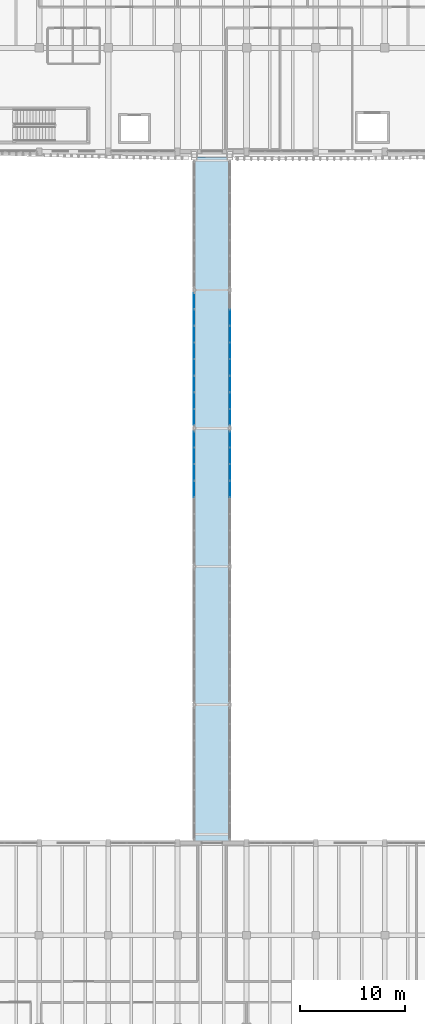
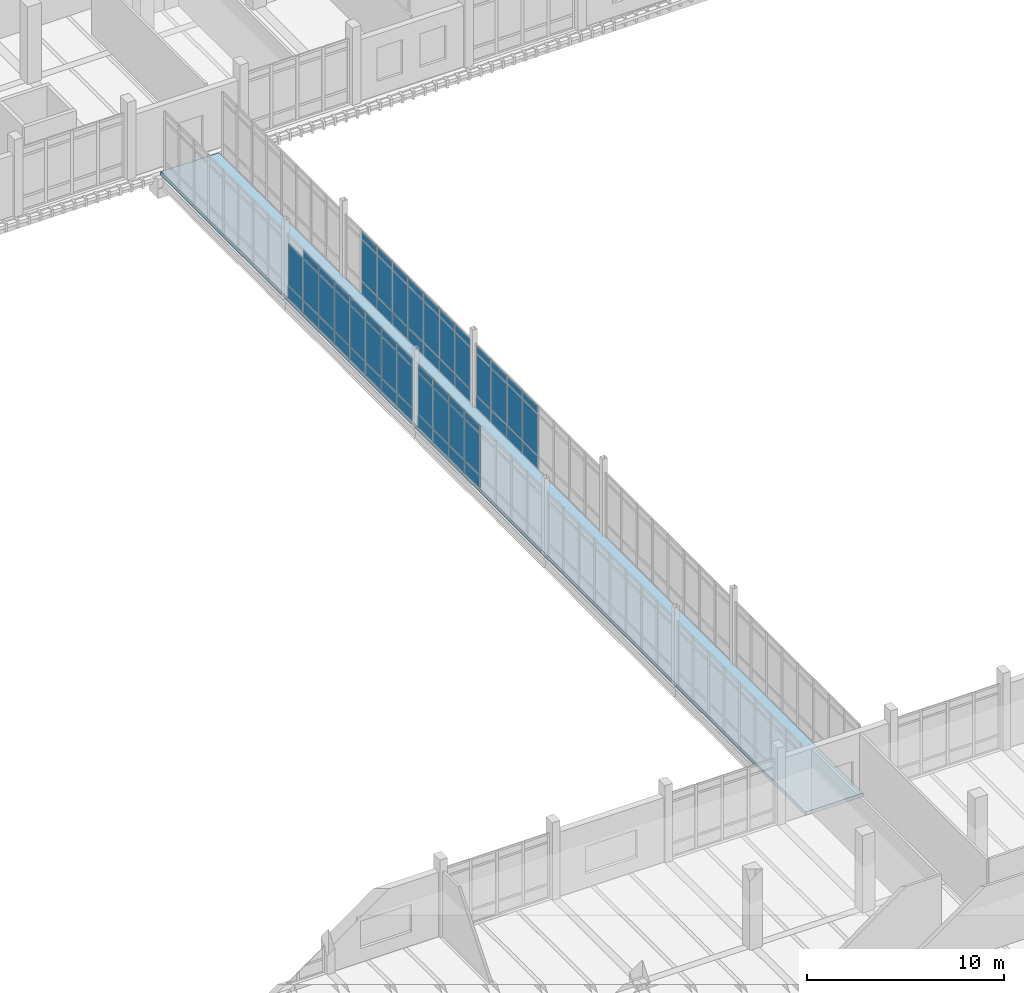
# One storey, part 76 of 125: 68 plates, 1 slab, 4 elements without a shape of their own.
"""IFC4 building model written with IfcOpenShell, lengths in metres."""

import ifcopenshell
import ifcopenshell.guid

model = None  # the IFC model being written
_history = None  # IfcOwnerHistory: only IFC2X3 demands one
_inside = {}  # id of a spatial element -> (the spatial element, [elements in it])
_under = {}  # id of a project, library or spatial element -> (it, [spatial elements below it])
_declared = {}  # id of a project -> (the project, [libraries it declares])
_typed = {}  # id of a type object -> (the type object, [elements of that type])
_made_of = {}  # id of a material, layer set ... -> (it, [elements and type objects made of it])


def new_model(schema):
    """Start an empty IFC model of exactly this schema.

    Asked for "IFC4X3", IfcOpenShell would pick the latest addendum, in which some entities
    have other attributes; the version numbers below select the first issue.
    IFC2X3 requires an IfcOwnerHistory on every rooted entity: one is made here for all.
    """
    global model, _history
    if schema == "IFC4X3":
        model = ifcopenshell.file(schema_version=(4, 3, 0, 0))
    else:
        model = ifcopenshell.file(schema=schema)
    _inside.clear()
    _under.clear()
    _declared.clear()
    _typed.clear()
    _made_of.clear()
    _history = None
    if model.schema == "IFC2X3":
        org = make("IfcOrganization", Name="unknown")
        user = make(
            "IfcPersonAndOrganization",
            ThePerson=make("IfcPerson", FamilyName="unknown"),
            TheOrganization=org,
        )
        app = make(
            "IfcApplication",
            ApplicationDeveloper=org,
            Version="unknown",
            ApplicationFullName="unknown",
            ApplicationIdentifier="unknown",
        )
        _history = make(
            "IfcOwnerHistory",
            OwningUser=user,
            OwningApplication=app,
            ChangeAction="ADDED",
            CreationDate=0,
        )
    return model


def make(cls, **values):
    """One entity of the class cls with the attributes given. An attribute that is None is left unset."""
    return model.create_entity(
        cls, **{name: value for name, value in values.items() if value is not None}
    )


def rooted(cls, **values):
    """An entity with a GlobalId (a new one), such as an element, a storey or a relation."""
    return make(cls, GlobalId=ifcopenshell.guid.new(), OwnerHistory=_history, **values)


def si_unit(unit_type, name, prefix=None):
    """IfcSIUnit, for example si_unit("LENGTHUNIT", "METRE", prefix="MILLI")."""
    return make("IfcSIUnit", UnitType=unit_type, Prefix=prefix, Name=name)


def assignment(units):
    """IfcUnitAssignment: the units of a project."""
    return None if units is None else make("IfcUnitAssignment", Units=units)


def point(xyz):
    """IfcCartesianPoint."""
    return None if xyz is None else make("IfcCartesianPoint", Coordinates=xyz)


def direction(xyz):
    """IfcDirection."""
    return None if xyz is None else make("IfcDirection", DirectionRatios=xyz)


def frame(location, z_axis=None, x_axis=None):
    """IfcAxis2Placement3D, a coordinate frame: its origin and axes. An axis left out is left unset."""
    return make(
        "IfcAxis2Placement3D",
        Location=point(location),
        Axis=direction(z_axis),
        RefDirection=direction(x_axis),
    )


def frame_2d(location, x_axis=None):
    """IfcAxis2Placement2D, a coordinate frame in the plane: its origin and x axis."""
    return make(
        "IfcAxis2Placement2D", Location=point(location), RefDirection=direction(x_axis)
    )


def origin():
    """The frame at (0, 0, 0) with its axes left unset."""
    return frame((0.0, 0.0, 0.0))


def origin_2d():
    """The frame at (0, 0) in the plane with its x axis left unset."""
    return frame_2d((0.0, 0.0))


def place(relative_to, where):
    """IfcLocalPlacement: puts the frame where relative to a parent placement (None: the world)."""
    return make(
        "IfcLocalPlacement", PlacementRelTo=relative_to, RelativePlacement=where
    )


def context(
    kind, dimensions, precision=None, world=None, true_north=None, identifier=None
):
    """IfcGeometricRepresentationContext, for example the 3D "Model" context."""
    return make(
        "IfcGeometricRepresentationContext",
        ContextIdentifier=identifier,
        ContextType=kind,
        CoordinateSpaceDimension=dimensions,
        Precision=precision,
        WorldCoordinateSystem=world,
        TrueNorth=true_north,
    )


def subcontext(parent, identifier, kind, view, scale=None):
    """IfcGeometricRepresentationSubContext, for example "Body" below "Model"."""
    return make(
        "IfcGeometricRepresentationSubContext",
        ContextIdentifier=identifier,
        ContextType=kind,
        ParentContext=parent,
        TargetScale=scale,
        TargetView=view,
    )


def project(units=None, contexts=None):
    """IfcProject with its units and contexts."""
    return rooted(
        "IfcProject",
        Name="project",
        RepresentationContexts=contexts,
        UnitsInContext=assignment(units),
    )


def spatial(cls, under=None, at=None, **own):
    """A site, building, storey or space (cls), placed at a placement, below another one or the project."""
    s = rooted(cls, ObjectPlacement=at, **own)
    if under is not None:
        _under.setdefault(under.id(), (under, []))[1].append(s)
    return s


def polyline(points):
    """IfcPolyline through the points."""
    return make("IfcPolyline", Points=[point(p) for p in points])


def profile(cls, at=None, kind="AREA", **sizes):
    """A parametric profile (cls). Its sizes go by their IFC names, for example OverallWidth=200.0."""
    return make(cls, ProfileType=kind, Position=at, **sizes)


def rectangle(**sizes):
    """IfcRectangleProfileDef."""
    return profile("IfcRectangleProfileDef", **sizes)


def outline(outer, holes=None, kind="AREA"):
    """IfcArbitraryClosedProfileDef: a profile drawn as a closed curve; with holes, ...WithVoids."""
    if holes is None:
        return make("IfcArbitraryClosedProfileDef", ProfileType=kind, OuterCurve=outer)
    return make(
        "IfcArbitraryProfileDefWithVoids",
        ProfileType=kind,
        OuterCurve=outer,
        InnerCurves=holes,
    )


def extrude(swept, where, along, depth):
    """IfcExtrudedAreaSolid: the profile swept, set in the frame where, extruded along a direction by depth."""
    return make(
        "IfcExtrudedAreaSolid",
        SweptArea=swept,
        Position=where,
        ExtrudedDirection=direction(along),
        Depth=depth,
    )


def shape(context_of_items, identifier, shape_type, items):
    """IfcShapeRepresentation: the items that make up one representation, for example the "Body"."""
    return make(
        "IfcShapeRepresentation",
        ContextOfItems=context_of_items,
        RepresentationIdentifier=identifier,
        RepresentationType=shape_type,
        Items=items,
    )


def material(Name=None, Category=None):
    """IfcMaterial."""
    return make("IfcMaterial", Name=Name, Category=Category)


def layer(
    of_material, thickness, ventilated=None, Name=None, Category=None, Priority=None
):
    """IfcMaterialLayer: one layer of a wall or slab, of a material (None: an air gap)."""
    return make(
        "IfcMaterialLayer",
        Material=of_material,
        LayerThickness=thickness,
        IsVentilated=ventilated,
        Name=Name,
        Category=Category,
        Priority=Priority,
    )


def layer_set(layers, Name=None):
    """IfcMaterialLayerSet."""
    return make("IfcMaterialLayerSet", MaterialLayers=layers, LayerSetName=Name)


def made_of(thing, what):
    """Note that an element or type object is made of a material, layer set ...; save() writes the relation."""
    if what is not None:
        _made_of.setdefault(what.id(), (what, []))[1].append(thing)
    return thing


def type_object(cls, material=None, **own):
    """A type object (cls), such as IfcWallType, which elements share."""
    return made_of(rooted(cls, **own), material)


def element(
    cls,
    number,
    at=None,
    inside=None,
    cuts=None,
    type_object=None,
    material=None,
    context=None,
    identifier="Body",
    shape_type=None,
    held_by="IfcProductDefinitionShape",
    body=None,
    shapes=None,
    **own,
):
    """One element of the class cls, such as IfcWall. Its Tag is "e" and its number.

    at: its placement. inside: the storey or other place that contains it. cuts: it is an
    opening in that element (IfcRelVoidsElement). A single representation is given by context,
    identifier, shape_type and body (its items); several are given by shapes. held_by: the class
    of the entity that holds the representations. save() writes the other relations.
    """
    e = rooted(cls, Tag="e%d" % number, ObjectPlacement=at, **own)
    if body is not None:
        shapes = [shape(context, identifier, shape_type, body)]
    if shapes is not None:
        e.Representation = make(held_by, Representations=shapes)
    if inside is not None:
        _inside.setdefault(inside.id(), (inside, []))[1].append(e)
    if cuts is not None:
        rooted(
            "IfcRelVoidsElement", RelatingBuildingElement=cuts, RelatedOpeningElement=e
        )
    if type_object is not None:
        _typed.setdefault(type_object.id(), (type_object, []))[1].append(e)
    return made_of(e, material)


def aggregate(whole, parts):
    """IfcRelAggregates: a whole, such as a stair, and the parts it consists of."""
    return rooted("IfcRelAggregates", RelatingObject=whole, RelatedObjects=parts)


def save(model, path):
    """Write the relations noted so far, then the file.

    IfcRelAggregates (storeys below a building ...), IfcRelContainedInSpatialStructure (elements
    in a storey), IfcRelDefinesByType, IfcRelAssociatesMaterial and IfcRelDeclares: one each for
    every whole, place, type object, material and project.
    """
    for whole, parts in _under.values():
        aggregate(whole, parts)
    for where, things in _inside.values():
        rooted(
            "IfcRelContainedInSpatialStructure",
            RelatedElements=things,
            RelatingStructure=where,
        )
    for kind, things in _typed.values():
        rooted("IfcRelDefinesByType", RelatedObjects=things, RelatingType=kind)
    for what, things in _made_of.values():
        rooted("IfcRelAssociatesMaterial", RelatedObjects=things, RelatingMaterial=what)
    for by, libraries in _declared.values():
        rooted("IfcRelDeclares", RelatingContext=by, RelatedDefinitions=libraries)
    model.write(path)


model = new_model("IFC4")

# Units and contexts
model_context = context("Model", 3, precision=1e-05, world=origin(), true_north=direction((0.0, 1.0)))
body_context = subcontext(model_context, "Body", "Model", "MODEL_VIEW")
ifc_project = project(units=[si_unit("LENGTHUNIT", "METRE"), si_unit("AREAUNIT", "SQUARE_METRE"), si_unit("VOLUMEUNIT", "CUBIC_METRE"), si_unit("PLANEANGLEUNIT", "RADIAN"), si_unit("MASSUNIT", "GRAM", prefix="KILO")], contexts=[model_context])

# Site, building, storey
site_placement = place(None, origin())
site = spatial("IfcSite", under=ifc_project, at=site_placement, CompositionType="ELEMENT")
building_placement = place(site_placement, origin())
building = spatial("IfcBuilding", under=site, at=building_placement, Name="Dornvale Research Institute", CompositionType="ELEMENT")
storey_placement = place(building_placement, frame((0.0, 0.0, 5.39990234375)))
storey = spatial("IfcBuildingStorey", under=building, at=storey_placement, Name="L01", CompositionType="ELEMENT", Elevation=5.39990234375)

# Curtain wall, plates
ifc_material_1 = material(Name="Low-E Argon Double Insulating Glazing Unit", Category="glass")
curtain_wall_type = type_object("IfcCurtainWallType", Name="UnitisedCurtainWall_V2_12700x4000", PredefinedType="USERDEFINED", material=ifc_material_1)
curtain_wall_1_placement = place(storey_placement, origin())
curtain_wall_1 = element("IfcCurtainWall", 1, at=curtain_wall_1_placement, inside=storey, type_object=curtain_wall_type, Name="L01 V2 unitised curtain wall CW-42 #235", ObjectType="UNITISED CURTAIN WALL", PredefinedType="USERDEFINED")
ifc_material_2 = material(Name="Insulated Ceramic-Frit Spandrel Glass Panel", Category="glass")
ifc_layer_1 = layer(ifc_material_2, 0.0419921875)
ifc_layer_set_1 = layer_set([ifc_layer_1], Name="Insulated Ceramic-Frit Spandrel Glass Panel")
plate_type_1 = type_object("IfcPlateType", Name="CurtainPanel_Spandrel_42", PredefinedType="CURTAIN_PANEL", material=ifc_layer_set_1)
plate_1_placement = place(storey_placement, frame((140.199951171875, 60.19384765625, 0.065185546875), z_axis=(0.0, 0.0, 1.0), x_axis=(0.0, 1.0, 0.0)))
plate_1 = element("IfcPlate", 2, at=plate_1_placement, type_object=plate_type_1, Name="CW-42 panel 5.1", PredefinedType="CURTAIN_PANEL", context=body_context, shape_type="SweptSolid", body=[
    extrude(rectangle(XDim=1.5224609375, YDim=0.0419921875, at=origin_2d()), origin(), (0.0, 0.0, 1.0), 0.75244140625),
])
plate_2_placement = place(storey_placement, frame((140.199951171875, 61.78125, 0.065185546875), z_axis=(0.0, 0.0, 1.0), x_axis=(0.0, 1.0, 0.0)))
plate_2 = element("IfcPlate", 3, at=plate_2_placement, type_object=plate_type_1, Name="CW-42 panel 6.1", PredefinedType="CURTAIN_PANEL", context=body_context, shape_type="SweptSolid", body=[
    extrude(rectangle(XDim=1.5224609375, YDim=0.0419921875, at=origin_2d()), origin(), (0.0, 0.0, 1.0), 0.75244140625),
])
plate_3_placement = place(storey_placement, frame((140.199951171875, 63.36865234375, 0.065185546875), z_axis=(0.0, 0.0, 1.0), x_axis=(0.0, 1.0, 0.0)))
plate_3 = element("IfcPlate", 4, at=plate_3_placement, type_object=plate_type_1, Name="CW-42 panel 7.1", PredefinedType="CURTAIN_PANEL", context=body_context, shape_type="SweptSolid", body=[
    extrude(rectangle(XDim=1.5224609375, YDim=0.0419921875, at=origin_2d()), origin(), (0.0, 0.0, 1.0), 0.75244140625),
])
plate_4_placement = place(storey_placement, frame((140.199951171875, 64.93994140625, 0.065185546875), z_axis=(0.0, 0.0, 1.0), x_axis=(0.0, 1.0, 0.0)))
plate_4 = element("IfcPlate", 5, at=plate_4_placement, type_object=plate_type_1, Name="CW-42 panel 8.1", PredefinedType="CURTAIN_PANEL", context=body_context, shape_type="SweptSolid", body=[
    extrude(rectangle(XDim=1.489990234375, YDim=0.0419921875, at=origin_2d()), origin(), (0.0, 0.0, 1.0), 0.75244140625),
])

curtain_wall_2_placement = place(storey_placement, origin())
curtain_wall_2 = element("IfcCurtainWall", 6, at=curtain_wall_2_placement, inside=storey, type_object=curtain_wall_type, Name="L01 V2 unitised curtain wall CW-42 #236", ObjectType="UNITISED CURTAIN WALL", PredefinedType="USERDEFINED")
plate_5_placement = place(storey_placement, frame((143.60009765625, 64.93994140625, 0.065185546875), z_axis=(0.0, 0.0, 1.0), x_axis=(0.0, -1.0, 0.0)))
plate_5 = element("IfcPlate", 7, at=plate_5_placement, type_object=plate_type_1, Name="CW-42 panel 1.1", PredefinedType="CURTAIN_PANEL", context=body_context, shape_type="SweptSolid", body=[
    extrude(rectangle(XDim=1.489990234375, YDim=0.0419921875, at=origin_2d()), origin(), (0.0, 0.0, 1.0), 0.75244140625),
])
plate_6_placement = place(storey_placement, frame((143.60009765625, 63.36865234375, 0.065185546875), z_axis=(0.0, 0.0, 1.0), x_axis=(0.0, -1.0, 0.0)))
plate_6 = element("IfcPlate", 8, at=plate_6_placement, type_object=plate_type_1, Name="CW-42 panel 2.1", PredefinedType="CURTAIN_PANEL", context=body_context, shape_type="SweptSolid", body=[
    extrude(rectangle(XDim=1.5224609375, YDim=0.0419921875, at=origin_2d()), origin(), (0.0, 0.0, 1.0), 0.75244140625),
])
plate_7_placement = place(storey_placement, frame((143.60009765625, 61.78125, 0.065185546875), z_axis=(0.0, 0.0, 1.0), x_axis=(0.0, -1.0, 0.0)))
plate_7 = element("IfcPlate", 9, at=plate_7_placement, type_object=plate_type_1, Name="CW-42 panel 3.1", PredefinedType="CURTAIN_PANEL", context=body_context, shape_type="SweptSolid", body=[
    extrude(rectangle(XDim=1.5224609375, YDim=0.0419921875, at=origin_2d()), origin(), (0.0, 0.0, 1.0), 0.75244140625),
])
plate_8_placement = place(storey_placement, frame((143.60009765625, 60.19384765625, 0.065185546875), z_axis=(0.0, 0.0, 1.0), x_axis=(0.0, -1.0, 0.0)))
plate_8 = element("IfcPlate", 10, at=plate_8_placement, type_object=plate_type_1, Name="CW-42 panel 4.1", PredefinedType="CURTAIN_PANEL", context=body_context, shape_type="SweptSolid", body=[
    extrude(rectangle(XDim=1.5224609375, YDim=0.0419921875, at=origin_2d()), origin(), (0.0, 0.0, 1.0), 0.75244140625),
])

curtain_wall_3_placement = place(storey_placement, origin())
curtain_wall_3 = element("IfcCurtainWall", 11, at=curtain_wall_3_placement, inside=storey, type_object=curtain_wall_type, Name="L01 V2 unitised curtain wall CW-42 #237", ObjectType="UNITISED CURTAIN WALL", PredefinedType="USERDEFINED")
plate_9_placement = place(storey_placement, frame((140.199951171875, 67.06005859375, 0.065185546875), z_axis=(0.0, 0.0, 1.0), x_axis=(0.0, 1.0, 0.0)))
plate_9 = element("IfcPlate", 12, at=plate_9_placement, type_object=plate_type_1, Name="CW-42 panel 1.1", PredefinedType="CURTAIN_PANEL", context=body_context, shape_type="SweptSolid", body=[
    extrude(rectangle(XDim=1.489990234375, YDim=0.0419921875, at=origin_2d()), origin(), (0.0, 0.0, 1.0), 0.75244140625),
])
plate_10_placement = place(storey_placement, frame((140.199951171875, 68.63134765625, 0.065185546875), z_axis=(0.0, 0.0, 1.0), x_axis=(0.0, 1.0, 0.0)))
plate_10 = element("IfcPlate", 13, at=plate_10_placement, type_object=plate_type_1, Name="CW-42 panel 2.1", PredefinedType="CURTAIN_PANEL", context=body_context, shape_type="SweptSolid", body=[
    extrude(rectangle(XDim=1.5224609375, YDim=0.0419921875, at=origin_2d()), origin(), (0.0, 0.0, 1.0), 0.75244140625),
])
plate_11_placement = place(storey_placement, frame((140.199951171875, 70.21875, 0.065185546875), z_axis=(0.0, 0.0, 1.0), x_axis=(0.0, 1.0, 0.0)))
plate_11 = element("IfcPlate", 14, at=plate_11_placement, type_object=plate_type_1, Name="CW-42 panel 3.1", PredefinedType="CURTAIN_PANEL", context=body_context, shape_type="SweptSolid", body=[
    extrude(rectangle(XDim=1.5224609375, YDim=0.0419921875, at=origin_2d()), origin(), (0.0, 0.0, 1.0), 0.75244140625),
])
plate_12_placement = place(storey_placement, frame((140.199951171875, 71.80615234375, 0.065185546875), z_axis=(0.0, 0.0, 1.0), x_axis=(0.0, 1.0, 0.0)))
plate_12 = element("IfcPlate", 15, at=plate_12_placement, type_object=plate_type_1, Name="CW-42 panel 4.1", PredefinedType="CURTAIN_PANEL", context=body_context, shape_type="SweptSolid", body=[
    extrude(rectangle(XDim=1.5224609375, YDim=0.0419921875, at=origin_2d()), origin(), (0.0, 0.0, 1.0), 0.75244140625),
])
plate_13_placement = place(storey_placement, frame((140.199951171875, 73.393798828125, 0.065185546875), z_axis=(0.0, 0.0, 1.0), x_axis=(0.0, 1.0, 0.0)))
plate_13 = element("IfcPlate", 16, at=plate_13_placement, type_object=plate_type_1, Name="CW-42 panel 5.1", PredefinedType="CURTAIN_PANEL", context=body_context, shape_type="SweptSolid", body=[
    extrude(rectangle(XDim=1.5224609375, YDim=0.0419921875, at=origin_2d()), origin(), (0.0, 0.0, 1.0), 0.75244140625),
])
plate_14_placement = place(storey_placement, frame((140.199951171875, 74.981201171875, 0.065185546875), z_axis=(0.0, 0.0, 1.0), x_axis=(0.0, 1.0, 0.0)))
plate_14 = element("IfcPlate", 17, at=plate_14_placement, type_object=plate_type_1, Name="CW-42 panel 6.1", PredefinedType="CURTAIN_PANEL", context=body_context, shape_type="SweptSolid", body=[
    extrude(rectangle(XDim=1.5224609375, YDim=0.0419921875, at=origin_2d()), origin(), (0.0, 0.0, 1.0), 0.75244140625),
])
plate_15_placement = place(storey_placement, frame((140.199951171875, 76.56884765625, 0.065185546875), z_axis=(0.0, 0.0, 1.0), x_axis=(0.0, 1.0, 0.0)))
plate_15 = element("IfcPlate", 18, at=plate_15_placement, type_object=plate_type_1, Name="CW-42 panel 7.1", PredefinedType="CURTAIN_PANEL", context=body_context, shape_type="SweptSolid", body=[
    extrude(rectangle(XDim=1.5224609375, YDim=0.0419921875, at=origin_2d()), origin(), (0.0, 0.0, 1.0), 0.75244140625),
])
plate_16_placement = place(storey_placement, frame((140.199951171875, 78.139892578125, 0.065185546875), z_axis=(0.0, 0.0, 1.0), x_axis=(0.0, 1.0, 0.0)))
plate_16 = element("IfcPlate", 19, at=plate_16_placement, type_object=plate_type_1, Name="CW-42 panel 8.1", PredefinedType="CURTAIN_PANEL", context=body_context, shape_type="SweptSolid", body=[
    extrude(rectangle(XDim=1.489990234375, YDim=0.0419921875, at=origin_2d()), origin(), (0.0, 0.0, 1.0), 0.75244140625),
])

curtain_wall_4_placement = place(storey_placement, origin())
curtain_wall_4 = element("IfcCurtainWall", 20, at=curtain_wall_4_placement, inside=storey, type_object=curtain_wall_type, Name="L01 V2 unitised curtain wall CW-42 #238", ObjectType="UNITISED CURTAIN WALL", PredefinedType="USERDEFINED")
plate_17_placement = place(storey_placement, frame((143.60009765625, 76.56884765625, 0.065185546875), z_axis=(0.0, 0.0, 1.0), x_axis=(0.0, -1.0, 0.0)))
plate_17 = element("IfcPlate", 21, at=plate_17_placement, type_object=plate_type_1, Name="CW-42 panel 2.1", PredefinedType="CURTAIN_PANEL", context=body_context, shape_type="SweptSolid", body=[
    extrude(rectangle(XDim=1.5224609375, YDim=0.0419921875, at=origin_2d()), origin(), (0.0, 0.0, 1.0), 0.75244140625),
])
plate_18_placement = place(storey_placement, frame((143.60009765625, 74.981201171875, 0.065185546875), z_axis=(0.0, 0.0, 1.0), x_axis=(0.0, -1.0, 0.0)))
plate_18 = element("IfcPlate", 22, at=plate_18_placement, type_object=plate_type_1, Name="CW-42 panel 3.1", PredefinedType="CURTAIN_PANEL", context=body_context, shape_type="SweptSolid", body=[
    extrude(rectangle(XDim=1.5224609375, YDim=0.0419921875, at=origin_2d()), origin(), (0.0, 0.0, 1.0), 0.75244140625),
])
plate_19_placement = place(storey_placement, frame((143.60009765625, 73.393798828125, 0.065185546875), z_axis=(0.0, 0.0, 1.0), x_axis=(0.0, -1.0, 0.0)))
plate_19 = element("IfcPlate", 23, at=plate_19_placement, type_object=plate_type_1, Name="CW-42 panel 4.1", PredefinedType="CURTAIN_PANEL", context=body_context, shape_type="SweptSolid", body=[
    extrude(rectangle(XDim=1.5224609375, YDim=0.0419921875, at=origin_2d()), origin(), (0.0, 0.0, 1.0), 0.75244140625),
])
plate_20_placement = place(storey_placement, frame((143.60009765625, 71.80615234375, 0.065185546875), z_axis=(0.0, 0.0, 1.0), x_axis=(0.0, -1.0, 0.0)))
plate_20 = element("IfcPlate", 24, at=plate_20_placement, type_object=plate_type_1, Name="CW-42 panel 5.1", PredefinedType="CURTAIN_PANEL", context=body_context, shape_type="SweptSolid", body=[
    extrude(rectangle(XDim=1.5224609375, YDim=0.0419921875, at=origin_2d()), origin(), (0.0, 0.0, 1.0), 0.75244140625),
])
plate_21_placement = place(storey_placement, frame((143.60009765625, 70.21875, 0.065185546875), z_axis=(0.0, 0.0, 1.0), x_axis=(0.0, -1.0, 0.0)))
plate_21 = element("IfcPlate", 25, at=plate_21_placement, type_object=plate_type_1, Name="CW-42 panel 6.1", PredefinedType="CURTAIN_PANEL", context=body_context, shape_type="SweptSolid", body=[
    extrude(rectangle(XDim=1.5224609375, YDim=0.0419921875, at=origin_2d()), origin(), (0.0, 0.0, 1.0), 0.75244140625),
])
plate_22_placement = place(storey_placement, frame((143.60009765625, 68.63134765625, 0.065185546875), z_axis=(0.0, 0.0, 1.0), x_axis=(0.0, -1.0, 0.0)))
plate_22 = element("IfcPlate", 26, at=plate_22_placement, type_object=plate_type_1, Name="CW-42 panel 7.1", PredefinedType="CURTAIN_PANEL", context=body_context, shape_type="SweptSolid", body=[
    extrude(rectangle(XDim=1.5224609375, YDim=0.0419921875, at=origin_2d()), origin(), (0.0, 0.0, 1.0), 0.75244140625),
])
plate_23_placement = place(storey_placement, frame((143.60009765625, 67.06005859375, 0.065185546875), z_axis=(0.0, 0.0, 1.0), x_axis=(0.0, -1.0, 0.0)))
plate_23 = element("IfcPlate", 27, at=plate_23_placement, type_object=plate_type_1, Name="CW-42 panel 8.1", PredefinedType="CURTAIN_PANEL", context=body_context, shape_type="SweptSolid", body=[
    extrude(rectangle(XDim=1.489990234375, YDim=0.0419921875, at=origin_2d()), origin(), (0.0, 0.0, 1.0), 0.75244140625),
])

# Plate
ifc_material_3 = material(Name="Low-E Argon Double Insulating Glazing Unit", Category="glass")
ifc_layer_2 = layer(ifc_material_3, 0.028076171875)
ifc_layer_set_2 = layer_set([ifc_layer_2], Name="Low-E Argon Double Insulating Glazing Unit")
plate_type_2 = type_object("IfcPlateType", Name="CurtainPanel_Vision_28", PredefinedType="CURTAIN_PANEL", material=ifc_layer_set_2)
plate_24_placement = place(storey_placement, frame((140.199951171875, 60.19384765625, 0.8828125), z_axis=(0.0, 0.0, 1.0), x_axis=(0.0, 1.0, 0.0)))
plate_24 = element("IfcPlate", 28, at=plate_24_placement, type_object=plate_type_2, Name="CW-42 panel 5.2", PredefinedType="CURTAIN_PANEL", context=body_context, shape_type="SweptSolid", body=[
    extrude(rectangle(XDim=1.5224609375, YDim=0.028076171875, at=origin_2d()), origin(), (0.0, 0.0, 1.0), 2.534912109375),
])

plate_25_placement = place(storey_placement, frame((140.199951171875, 60.19384765625, 3.482421875), z_axis=(0.0, 0.0, 1.0), x_axis=(0.0, 1.0, 0.0)))
plate_25 = element("IfcPlate", 29, at=plate_25_placement, type_object=plate_type_2, Name="CW-42 panel 5.3", PredefinedType="CURTAIN_PANEL", context=body_context, shape_type="SweptSolid", body=[
    extrude(rectangle(XDim=1.5224609375, YDim=0.028076171875, at=origin_2d()), origin(), (0.0, 0.0, 1.0), 0.452392578125),
])

plate_26_placement = place(storey_placement, frame((140.199951171875, 61.78125, 0.8828125), z_axis=(0.0, 0.0, 1.0), x_axis=(0.0, 1.0, 0.0)))
plate_26 = element("IfcPlate", 30, at=plate_26_placement, type_object=plate_type_2, Name="CW-42 panel 6.2", PredefinedType="CURTAIN_PANEL", context=body_context, shape_type="SweptSolid", body=[
    extrude(rectangle(XDim=1.5224609375, YDim=0.028076171875, at=origin_2d()), origin(), (0.0, 0.0, 1.0), 2.534912109375),
])

plate_27_placement = place(storey_placement, frame((140.199951171875, 61.78125, 3.482421875), z_axis=(0.0, 0.0, 1.0), x_axis=(0.0, 1.0, 0.0)))
plate_27 = element("IfcPlate", 31, at=plate_27_placement, type_object=plate_type_2, Name="CW-42 panel 6.3", PredefinedType="CURTAIN_PANEL", context=body_context, shape_type="SweptSolid", body=[
    extrude(rectangle(XDim=1.5224609375, YDim=0.028076171875, at=origin_2d()), origin(), (0.0, 0.0, 1.0), 0.452392578125),
])

plate_28_placement = place(storey_placement, frame((140.199951171875, 63.36865234375, 0.8828125), z_axis=(0.0, 0.0, 1.0), x_axis=(0.0, 1.0, 0.0)))
plate_28 = element("IfcPlate", 32, at=plate_28_placement, type_object=plate_type_2, Name="CW-42 panel 7.2", PredefinedType="CURTAIN_PANEL", context=body_context, shape_type="SweptSolid", body=[
    extrude(rectangle(XDim=1.5224609375, YDim=0.028076171875, at=origin_2d()), origin(), (0.0, 0.0, 1.0), 2.534912109375),
])

plate_29_placement = place(storey_placement, frame((140.199951171875, 63.36865234375, 3.482421875), z_axis=(0.0, 0.0, 1.0), x_axis=(0.0, 1.0, 0.0)))
plate_29 = element("IfcPlate", 33, at=plate_29_placement, type_object=plate_type_2, Name="CW-42 panel 7.3", PredefinedType="CURTAIN_PANEL", context=body_context, shape_type="SweptSolid", body=[
    extrude(rectangle(XDim=1.5224609375, YDim=0.028076171875, at=origin_2d()), origin(), (0.0, 0.0, 1.0), 0.452392578125),
])

plate_30_placement = place(storey_placement, frame((140.199951171875, 64.93994140625, 0.8828125), z_axis=(0.0, 0.0, 1.0), x_axis=(0.0, 1.0, 0.0)))
plate_30 = element("IfcPlate", 34, at=plate_30_placement, type_object=plate_type_2, Name="CW-42 panel 8.2", PredefinedType="CURTAIN_PANEL", context=body_context, shape_type="SweptSolid", body=[
    extrude(rectangle(XDim=1.489990234375, YDim=0.028076171875, at=origin_2d()), origin(), (0.0, 0.0, 1.0), 2.534912109375),
])

plate_31_placement = place(storey_placement, frame((140.199951171875, 64.93994140625, 3.482421875), z_axis=(0.0, 0.0, 1.0), x_axis=(0.0, 1.0, 0.0)))
plate_31 = element("IfcPlate", 35, at=plate_31_placement, type_object=plate_type_2, Name="CW-42 panel 8.3", PredefinedType="CURTAIN_PANEL", context=body_context, shape_type="SweptSolid", body=[
    extrude(rectangle(XDim=1.489990234375, YDim=0.028076171875, at=origin_2d()), origin(), (0.0, 0.0, 1.0), 0.452392578125),
])

aggregate(curtain_wall_1, [plate_1, plate_24, plate_25, plate_2, plate_26, plate_27, plate_3, plate_28, plate_29, plate_4, plate_30, plate_31])

plate_32_placement = place(storey_placement, frame((143.60009765625, 64.93994140625, 0.8828125), z_axis=(0.0, 0.0, 1.0), x_axis=(0.0, -1.0, 0.0)))
plate_32 = element("IfcPlate", 36, at=plate_32_placement, type_object=plate_type_2, Name="CW-42 panel 1.2", PredefinedType="CURTAIN_PANEL", context=body_context, shape_type="SweptSolid", body=[
    extrude(rectangle(XDim=1.489990234375, YDim=0.028076171875, at=origin_2d()), origin(), (0.0, 0.0, 1.0), 2.534912109375),
])

plate_33_placement = place(storey_placement, frame((143.60009765625, 64.93994140625, 3.482421875), z_axis=(0.0, 0.0, 1.0), x_axis=(0.0, -1.0, 0.0)))
plate_33 = element("IfcPlate", 37, at=plate_33_placement, type_object=plate_type_2, Name="CW-42 panel 1.3", PredefinedType="CURTAIN_PANEL", context=body_context, shape_type="SweptSolid", body=[
    extrude(rectangle(XDim=1.489990234375, YDim=0.028076171875, at=origin_2d()), origin(), (0.0, 0.0, 1.0), 0.452392578125),
])

plate_34_placement = place(storey_placement, frame((143.60009765625, 63.36865234375, 0.8828125), z_axis=(0.0, 0.0, 1.0), x_axis=(0.0, -1.0, 0.0)))
plate_34 = element("IfcPlate", 38, at=plate_34_placement, type_object=plate_type_2, Name="CW-42 panel 2.2", PredefinedType="CURTAIN_PANEL", context=body_context, shape_type="SweptSolid", body=[
    extrude(rectangle(XDim=1.5224609375, YDim=0.028076171875, at=origin_2d()), origin(), (0.0, 0.0, 1.0), 2.534912109375),
])

plate_35_placement = place(storey_placement, frame((143.60009765625, 63.36865234375, 3.482421875), z_axis=(0.0, 0.0, 1.0), x_axis=(0.0, -1.0, 0.0)))
plate_35 = element("IfcPlate", 39, at=plate_35_placement, type_object=plate_type_2, Name="CW-42 panel 2.3", PredefinedType="CURTAIN_PANEL", context=body_context, shape_type="SweptSolid", body=[
    extrude(rectangle(XDim=1.5224609375, YDim=0.028076171875, at=origin_2d()), origin(), (0.0, 0.0, 1.0), 0.452392578125),
])

plate_36_placement = place(storey_placement, frame((143.60009765625, 61.78125, 0.8828125), z_axis=(0.0, 0.0, 1.0), x_axis=(0.0, -1.0, 0.0)))
plate_36 = element("IfcPlate", 40, at=plate_36_placement, type_object=plate_type_2, Name="CW-42 panel 3.2", PredefinedType="CURTAIN_PANEL", context=body_context, shape_type="SweptSolid", body=[
    extrude(rectangle(XDim=1.5224609375, YDim=0.028076171875, at=origin_2d()), origin(), (0.0, 0.0, 1.0), 2.534912109375),
])

plate_37_placement = place(storey_placement, frame((143.60009765625, 61.78125, 3.482421875), z_axis=(0.0, 0.0, 1.0), x_axis=(0.0, -1.0, 0.0)))
plate_37 = element("IfcPlate", 41, at=plate_37_placement, type_object=plate_type_2, Name="CW-42 panel 3.3", PredefinedType="CURTAIN_PANEL", context=body_context, shape_type="SweptSolid", body=[
    extrude(rectangle(XDim=1.5224609375, YDim=0.028076171875, at=origin_2d()), origin(), (0.0, 0.0, 1.0), 0.452392578125),
])

plate_38_placement = place(storey_placement, frame((143.60009765625, 60.19384765625, 0.8828125), z_axis=(0.0, 0.0, 1.0), x_axis=(0.0, -1.0, 0.0)))
plate_38 = element("IfcPlate", 42, at=plate_38_placement, type_object=plate_type_2, Name="CW-42 panel 4.2", PredefinedType="CURTAIN_PANEL", context=body_context, shape_type="SweptSolid", body=[
    extrude(rectangle(XDim=1.5224609375, YDim=0.028076171875, at=origin_2d()), origin(), (0.0, 0.0, 1.0), 2.534912109375),
])

plate_39_placement = place(storey_placement, frame((143.60009765625, 60.19384765625, 3.482421875), z_axis=(0.0, 0.0, 1.0), x_axis=(0.0, -1.0, 0.0)))
plate_39 = element("IfcPlate", 43, at=plate_39_placement, type_object=plate_type_2, Name="CW-42 panel 4.3", PredefinedType="CURTAIN_PANEL", context=body_context, shape_type="SweptSolid", body=[
    extrude(rectangle(XDim=1.5224609375, YDim=0.028076171875, at=origin_2d()), origin(), (0.0, 0.0, 1.0), 0.452392578125),
])

aggregate(curtain_wall_2, [plate_5, plate_32, plate_33, plate_6, plate_34, plate_35, plate_7, plate_36, plate_37, plate_8, plate_38, plate_39])

plate_40_placement = place(storey_placement, frame((140.199951171875, 67.06005859375, 0.8828125), z_axis=(0.0, 0.0, 1.0), x_axis=(0.0, 1.0, 0.0)))
plate_40 = element("IfcPlate", 44, at=plate_40_placement, type_object=plate_type_2, Name="CW-42 panel 1.2", PredefinedType="CURTAIN_PANEL", context=body_context, shape_type="SweptSolid", body=[
    extrude(rectangle(XDim=1.489990234375, YDim=0.028076171875, at=origin_2d()), origin(), (0.0, 0.0, 1.0), 2.534912109375),
])

plate_41_placement = place(storey_placement, frame((140.199951171875, 67.06005859375, 3.482421875), z_axis=(0.0, 0.0, 1.0), x_axis=(0.0, 1.0, 0.0)))
plate_41 = element("IfcPlate", 45, at=plate_41_placement, type_object=plate_type_2, Name="CW-42 panel 1.3", PredefinedType="CURTAIN_PANEL", context=body_context, shape_type="SweptSolid", body=[
    extrude(rectangle(XDim=1.489990234375, YDim=0.028076171875, at=origin_2d()), origin(), (0.0, 0.0, 1.0), 0.452392578125),
])

plate_42_placement = place(storey_placement, frame((140.199951171875, 68.63134765625, 0.8828125), z_axis=(0.0, 0.0, 1.0), x_axis=(0.0, 1.0, 0.0)))
plate_42 = element("IfcPlate", 46, at=plate_42_placement, type_object=plate_type_2, Name="CW-42 panel 2.2", PredefinedType="CURTAIN_PANEL", context=body_context, shape_type="SweptSolid", body=[
    extrude(rectangle(XDim=1.5224609375, YDim=0.028076171875, at=origin_2d()), origin(), (0.0, 0.0, 1.0), 2.534912109375),
])

plate_43_placement = place(storey_placement, frame((140.199951171875, 68.63134765625, 3.482421875), z_axis=(0.0, 0.0, 1.0), x_axis=(0.0, 1.0, 0.0)))
plate_43 = element("IfcPlate", 47, at=plate_43_placement, type_object=plate_type_2, Name="CW-42 panel 2.3", PredefinedType="CURTAIN_PANEL", context=body_context, shape_type="SweptSolid", body=[
    extrude(rectangle(XDim=1.5224609375, YDim=0.028076171875, at=origin_2d()), origin(), (0.0, 0.0, 1.0), 0.452392578125),
])

plate_44_placement = place(storey_placement, frame((140.199951171875, 70.21875, 0.8828125), z_axis=(0.0, 0.0, 1.0), x_axis=(0.0, 1.0, 0.0)))
plate_44 = element("IfcPlate", 48, at=plate_44_placement, type_object=plate_type_2, Name="CW-42 panel 3.2", PredefinedType="CURTAIN_PANEL", context=body_context, shape_type="SweptSolid", body=[
    extrude(rectangle(XDim=1.5224609375, YDim=0.028076171875, at=origin_2d()), origin(), (0.0, 0.0, 1.0), 2.534912109375),
])

plate_45_placement = place(storey_placement, frame((140.199951171875, 70.21875, 3.482421875), z_axis=(0.0, 0.0, 1.0), x_axis=(0.0, 1.0, 0.0)))
plate_45 = element("IfcPlate", 49, at=plate_45_placement, type_object=plate_type_2, Name="CW-42 panel 3.3", PredefinedType="CURTAIN_PANEL", context=body_context, shape_type="SweptSolid", body=[
    extrude(rectangle(XDim=1.5224609375, YDim=0.028076171875, at=origin_2d()), origin(), (0.0, 0.0, 1.0), 0.452392578125),
])

plate_46_placement = place(storey_placement, frame((140.199951171875, 71.80615234375, 0.8828125), z_axis=(0.0, 0.0, 1.0), x_axis=(0.0, 1.0, 0.0)))
plate_46 = element("IfcPlate", 50, at=plate_46_placement, type_object=plate_type_2, Name="CW-42 panel 4.2", PredefinedType="CURTAIN_PANEL", context=body_context, shape_type="SweptSolid", body=[
    extrude(rectangle(XDim=1.5224609375, YDim=0.028076171875, at=origin_2d()), origin(), (0.0, 0.0, 1.0), 2.534912109375),
])

plate_47_placement = place(storey_placement, frame((140.199951171875, 71.80615234375, 3.482421875), z_axis=(0.0, 0.0, 1.0), x_axis=(0.0, 1.0, 0.0)))
plate_47 = element("IfcPlate", 51, at=plate_47_placement, type_object=plate_type_2, Name="CW-42 panel 4.3", PredefinedType="CURTAIN_PANEL", context=body_context, shape_type="SweptSolid", body=[
    extrude(rectangle(XDim=1.5224609375, YDim=0.028076171875, at=origin_2d()), origin(), (0.0, 0.0, 1.0), 0.452392578125),
])

plate_48_placement = place(storey_placement, frame((140.199951171875, 73.393798828125, 0.8828125), z_axis=(0.0, 0.0, 1.0), x_axis=(0.0, 1.0, 0.0)))
plate_48 = element("IfcPlate", 52, at=plate_48_placement, type_object=plate_type_2, Name="CW-42 panel 5.2", PredefinedType="CURTAIN_PANEL", context=body_context, shape_type="SweptSolid", body=[
    extrude(rectangle(XDim=1.5224609375, YDim=0.028076171875, at=origin_2d()), origin(), (0.0, 0.0, 1.0), 2.534912109375),
])

plate_49_placement = place(storey_placement, frame((140.199951171875, 73.393798828125, 3.482421875), z_axis=(0.0, 0.0, 1.0), x_axis=(0.0, 1.0, 0.0)))
plate_49 = element("IfcPlate", 53, at=plate_49_placement, type_object=plate_type_2, Name="CW-42 panel 5.3", PredefinedType="CURTAIN_PANEL", context=body_context, shape_type="SweptSolid", body=[
    extrude(rectangle(XDim=1.5224609375, YDim=0.028076171875, at=origin_2d()), origin(), (0.0, 0.0, 1.0), 0.452392578125),
])

plate_50_placement = place(storey_placement, frame((140.199951171875, 74.981201171875, 0.8828125), z_axis=(0.0, 0.0, 1.0), x_axis=(0.0, 1.0, 0.0)))
plate_50 = element("IfcPlate", 54, at=plate_50_placement, type_object=plate_type_2, Name="CW-42 panel 6.2", PredefinedType="CURTAIN_PANEL", context=body_context, shape_type="SweptSolid", body=[
    extrude(rectangle(XDim=1.5224609375, YDim=0.028076171875, at=origin_2d()), origin(), (0.0, 0.0, 1.0), 2.534912109375),
])

plate_51_placement = place(storey_placement, frame((140.199951171875, 74.981201171875, 3.482421875), z_axis=(0.0, 0.0, 1.0), x_axis=(0.0, 1.0, 0.0)))
plate_51 = element("IfcPlate", 55, at=plate_51_placement, type_object=plate_type_2, Name="CW-42 panel 6.3", PredefinedType="CURTAIN_PANEL", context=body_context, shape_type="SweptSolid", body=[
    extrude(rectangle(XDim=1.5224609375, YDim=0.028076171875, at=origin_2d()), origin(), (0.0, 0.0, 1.0), 0.452392578125),
])

plate_52_placement = place(storey_placement, frame((140.199951171875, 76.56884765625, 0.8828125), z_axis=(0.0, 0.0, 1.0), x_axis=(0.0, 1.0, 0.0)))
plate_52 = element("IfcPlate", 56, at=plate_52_placement, type_object=plate_type_2, Name="CW-42 panel 7.2", PredefinedType="CURTAIN_PANEL", context=body_context, shape_type="SweptSolid", body=[
    extrude(rectangle(XDim=1.5224609375, YDim=0.028076171875, at=origin_2d()), origin(), (0.0, 0.0, 1.0), 2.534912109375),
])

plate_53_placement = place(storey_placement, frame((140.199951171875, 76.56884765625, 3.482421875), z_axis=(0.0, 0.0, 1.0), x_axis=(0.0, 1.0, 0.0)))
plate_53 = element("IfcPlate", 57, at=plate_53_placement, type_object=plate_type_2, Name="CW-42 panel 7.3", PredefinedType="CURTAIN_PANEL", context=body_context, shape_type="SweptSolid", body=[
    extrude(rectangle(XDim=1.5224609375, YDim=0.028076171875, at=origin_2d()), origin(), (0.0, 0.0, 1.0), 0.452392578125),
])

plate_54_placement = place(storey_placement, frame((140.199951171875, 78.139892578125, 0.8828125), z_axis=(0.0, 0.0, 1.0), x_axis=(0.0, 1.0, 0.0)))
plate_54 = element("IfcPlate", 58, at=plate_54_placement, type_object=plate_type_2, Name="CW-42 panel 8.2", PredefinedType="CURTAIN_PANEL", context=body_context, shape_type="SweptSolid", body=[
    extrude(rectangle(XDim=1.489990234375, YDim=0.028076171875, at=origin_2d()), origin(), (0.0, 0.0, 1.0), 2.534912109375),
])

aggregate(curtain_wall_3, [plate_9, plate_40, plate_41, plate_10, plate_42, plate_43, plate_11, plate_44, plate_45, plate_12, plate_46, plate_47, plate_13, plate_48, plate_49, plate_14, plate_50, plate_51, plate_15, plate_52, plate_53, plate_16, plate_54])

plate_55_placement = place(storey_placement, frame((143.60009765625, 76.56884765625, 0.8828125), z_axis=(0.0, 0.0, 1.0), x_axis=(0.0, -1.0, 0.0)))
plate_55 = element("IfcPlate", 59, at=plate_55_placement, type_object=plate_type_2, Name="CW-42 panel 2.2", PredefinedType="CURTAIN_PANEL", context=body_context, shape_type="SweptSolid", body=[
    extrude(rectangle(XDim=1.5224609375, YDim=0.028076171875, at=origin_2d()), origin(), (0.0, 0.0, 1.0), 2.534912109375),
])

plate_56_placement = place(storey_placement, frame((143.60009765625, 76.56884765625, 3.482421875), z_axis=(0.0, 0.0, 1.0), x_axis=(0.0, -1.0, 0.0)))
plate_56 = element("IfcPlate", 60, at=plate_56_placement, type_object=plate_type_2, Name="CW-42 panel 2.3", PredefinedType="CURTAIN_PANEL", context=body_context, shape_type="SweptSolid", body=[
    extrude(rectangle(XDim=1.5224609375, YDim=0.028076171875, at=origin_2d()), origin(), (0.0, 0.0, 1.0), 0.452392578125),
])

plate_57_placement = place(storey_placement, frame((143.60009765625, 74.981201171875, 0.8828125), z_axis=(0.0, 0.0, 1.0), x_axis=(0.0, -1.0, 0.0)))
plate_57 = element("IfcPlate", 61, at=plate_57_placement, type_object=plate_type_2, Name="CW-42 panel 3.2", PredefinedType="CURTAIN_PANEL", context=body_context, shape_type="SweptSolid", body=[
    extrude(rectangle(XDim=1.5224609375, YDim=0.028076171875, at=origin_2d()), origin(), (0.0, 0.0, 1.0), 2.534912109375),
])

plate_58_placement = place(storey_placement, frame((143.60009765625, 74.981201171875, 3.482421875), z_axis=(0.0, 0.0, 1.0), x_axis=(0.0, -1.0, 0.0)))
plate_58 = element("IfcPlate", 62, at=plate_58_placement, type_object=plate_type_2, Name="CW-42 panel 3.3", PredefinedType="CURTAIN_PANEL", context=body_context, shape_type="SweptSolid", body=[
    extrude(rectangle(XDim=1.5224609375, YDim=0.028076171875, at=origin_2d()), origin(), (0.0, 0.0, 1.0), 0.452392578125),
])

plate_59_placement = place(storey_placement, frame((143.60009765625, 73.393798828125, 0.8828125), z_axis=(0.0, 0.0, 1.0), x_axis=(0.0, -1.0, 0.0)))
plate_59 = element("IfcPlate", 63, at=plate_59_placement, type_object=plate_type_2, Name="CW-42 panel 4.2", PredefinedType="CURTAIN_PANEL", context=body_context, shape_type="SweptSolid", body=[
    extrude(rectangle(XDim=1.5224609375, YDim=0.028076171875, at=origin_2d()), origin(), (0.0, 0.0, 1.0), 2.534912109375),
])

plate_60_placement = place(storey_placement, frame((143.60009765625, 73.393798828125, 3.482421875), z_axis=(0.0, 0.0, 1.0), x_axis=(0.0, -1.0, 0.0)))
plate_60 = element("IfcPlate", 64, at=plate_60_placement, type_object=plate_type_2, Name="CW-42 panel 4.3", PredefinedType="CURTAIN_PANEL", context=body_context, shape_type="SweptSolid", body=[
    extrude(rectangle(XDim=1.5224609375, YDim=0.028076171875, at=origin_2d()), origin(), (0.0, 0.0, 1.0), 0.452392578125),
])

plate_61_placement = place(storey_placement, frame((143.60009765625, 71.80615234375, 0.8828125), z_axis=(0.0, 0.0, 1.0), x_axis=(0.0, -1.0, 0.0)))
plate_61 = element("IfcPlate", 65, at=plate_61_placement, type_object=plate_type_2, Name="CW-42 panel 5.2", PredefinedType="CURTAIN_PANEL", context=body_context, shape_type="SweptSolid", body=[
    extrude(rectangle(XDim=1.5224609375, YDim=0.028076171875, at=origin_2d()), origin(), (0.0, 0.0, 1.0), 2.534912109375),
])

plate_62_placement = place(storey_placement, frame((143.60009765625, 71.80615234375, 3.482421875), z_axis=(0.0, 0.0, 1.0), x_axis=(0.0, -1.0, 0.0)))
plate_62 = element("IfcPlate", 66, at=plate_62_placement, type_object=plate_type_2, Name="CW-42 panel 5.3", PredefinedType="CURTAIN_PANEL", context=body_context, shape_type="SweptSolid", body=[
    extrude(rectangle(XDim=1.5224609375, YDim=0.028076171875, at=origin_2d()), origin(), (0.0, 0.0, 1.0), 0.452392578125),
])

plate_63_placement = place(storey_placement, frame((143.60009765625, 70.21875, 0.8828125), z_axis=(0.0, 0.0, 1.0), x_axis=(0.0, -1.0, 0.0)))
plate_63 = element("IfcPlate", 67, at=plate_63_placement, type_object=plate_type_2, Name="CW-42 panel 6.2", PredefinedType="CURTAIN_PANEL", context=body_context, shape_type="SweptSolid", body=[
    extrude(rectangle(XDim=1.5224609375, YDim=0.028076171875, at=origin_2d()), origin(), (0.0, 0.0, 1.0), 2.534912109375),
])

plate_64_placement = place(storey_placement, frame((143.60009765625, 70.21875, 3.482421875), z_axis=(0.0, 0.0, 1.0), x_axis=(0.0, -1.0, 0.0)))
plate_64 = element("IfcPlate", 68, at=plate_64_placement, type_object=plate_type_2, Name="CW-42 panel 6.3", PredefinedType="CURTAIN_PANEL", context=body_context, shape_type="SweptSolid", body=[
    extrude(rectangle(XDim=1.5224609375, YDim=0.028076171875, at=origin_2d()), origin(), (0.0, 0.0, 1.0), 0.452392578125),
])

plate_65_placement = place(storey_placement, frame((143.60009765625, 68.63134765625, 0.8828125), z_axis=(0.0, 0.0, 1.0), x_axis=(0.0, -1.0, 0.0)))
plate_65 = element("IfcPlate", 69, at=plate_65_placement, type_object=plate_type_2, Name="CW-42 panel 7.2", PredefinedType="CURTAIN_PANEL", context=body_context, shape_type="SweptSolid", body=[
    extrude(rectangle(XDim=1.5224609375, YDim=0.028076171875, at=origin_2d()), origin(), (0.0, 0.0, 1.0), 2.534912109375),
])

plate_66_placement = place(storey_placement, frame((143.60009765625, 68.63134765625, 3.482421875), z_axis=(0.0, 0.0, 1.0), x_axis=(0.0, -1.0, 0.0)))
plate_66 = element("IfcPlate", 70, at=plate_66_placement, type_object=plate_type_2, Name="CW-42 panel 7.3", PredefinedType="CURTAIN_PANEL", context=body_context, shape_type="SweptSolid", body=[
    extrude(rectangle(XDim=1.5224609375, YDim=0.028076171875, at=origin_2d()), origin(), (0.0, 0.0, 1.0), 0.452392578125),
])

plate_67_placement = place(storey_placement, frame((143.60009765625, 67.06005859375, 0.8828125), z_axis=(0.0, 0.0, 1.0), x_axis=(0.0, -1.0, 0.0)))
plate_67 = element("IfcPlate", 71, at=plate_67_placement, type_object=plate_type_2, Name="CW-42 panel 8.2", PredefinedType="CURTAIN_PANEL", context=body_context, shape_type="SweptSolid", body=[
    extrude(rectangle(XDim=1.489990234375, YDim=0.028076171875, at=origin_2d()), origin(), (0.0, 0.0, 1.0), 2.534912109375),
])

plate_68_placement = place(storey_placement, frame((143.60009765625, 67.06005859375, 3.482421875), z_axis=(0.0, 0.0, 1.0), x_axis=(0.0, -1.0, 0.0)))
plate_68 = element("IfcPlate", 72, at=plate_68_placement, type_object=plate_type_2, Name="CW-42 panel 8.3", PredefinedType="CURTAIN_PANEL", context=body_context, shape_type="SweptSolid", body=[
    extrude(rectangle(XDim=1.489990234375, YDim=0.028076171875, at=origin_2d()), origin(), (0.0, 0.0, 1.0), 0.452392578125),
])

aggregate(curtain_wall_4, [plate_17, plate_55, plate_56, plate_18, plate_57, plate_58, plate_19, plate_59, plate_60, plate_20, plate_61, plate_62, plate_21, plate_63, plate_64, plate_22, plate_65, plate_66, plate_23, plate_67, plate_68])

# Slab
ifc_material_4 = material(Name="Concrete f'c 45 MPa (C35/45)", Category="concrete")
ifc_layer_3 = layer(ifc_material_4, 0.219970703125)
ifc_layer_set_3 = layer_set([ifc_layer_3], Name="Concrete f'c 45 MPa (C35/45)")
slab_type = type_object("IfcSlabType", Name="FloorSlab_Bridge_220", PredefinedType="FLOOR", material=ifc_layer_set_3)
slab_placement = place(storey_placement, frame((0.0, 0.0, -0.219970703125)))
element("IfcSlab", 73, at=slab_placement, inside=storey, type_object=slab_type, Name="L01 link bridge deck BR-7", PredefinedType="FLOOR", context=body_context, shape_type="SweptSolid", body=[
    extrude(outline(polyline([(140.199951171875, 91.873046875), (140.249755859375, 91.872314453125), (140.249755859375, 91.872314453125), (141.89990234375, 91.857177734375), (141.89990234375, 91.857177734375), (143.5498046875, 91.84521484375), (143.5498046875, 91.84521484375), (143.60009765625, 91.844970703125), (143.60009765625, 26.419921875), (140.199951171875, 26.419921875), (140.199951171875, 91.873046875)])), origin(), (0.0, 0.0, 1.0), 0.219970703125),
])

save(model, "model.ifc")
